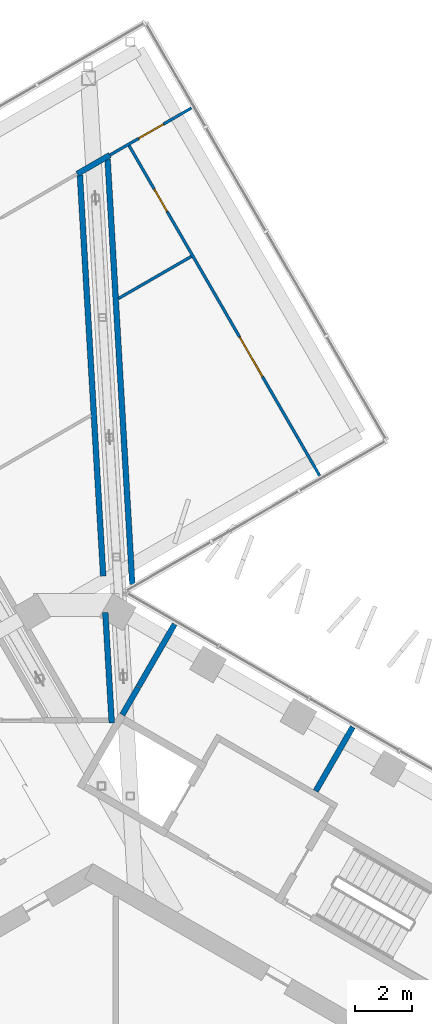
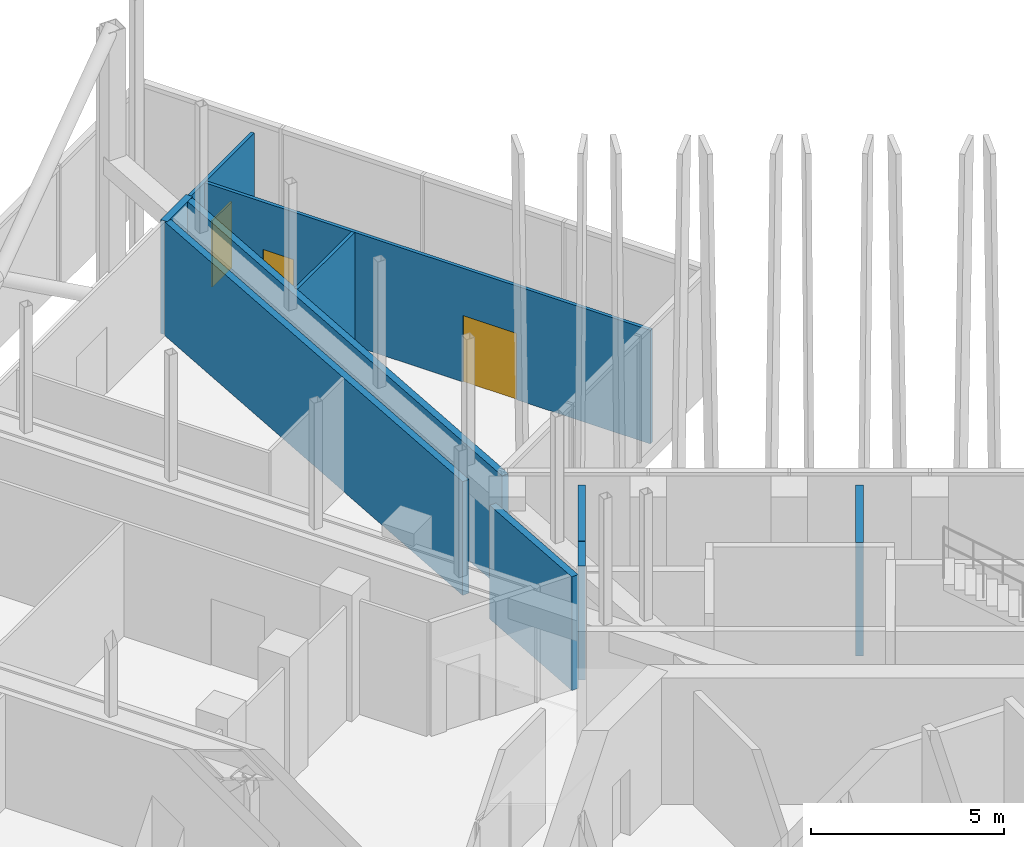
# One storey, part 22 of 29: 10 walls, 3 doors, 3 openings.
"""IFC4 building model written with IfcOpenShell, lengths in metres."""

import ifcopenshell
import ifcopenshell.guid

model = None  # the IFC model being written
_history = None  # IfcOwnerHistory: only IFC2X3 demands one
_inside = {}  # id of a spatial element -> (the spatial element, [elements in it])
_under = {}  # id of a project, library or spatial element -> (it, [spatial elements below it])
_declared = {}  # id of a project -> (the project, [libraries it declares])
_typed = {}  # id of a type object -> (the type object, [elements of that type])
_made_of = {}  # id of a material, layer set ... -> (it, [elements and type objects made of it])


def new_model(schema):
    """Start an empty IFC model of exactly this schema.

    Asked for "IFC4X3", IfcOpenShell would pick the latest addendum, in which some entities
    have other attributes; the version numbers below select the first issue.
    IFC2X3 requires an IfcOwnerHistory on every rooted entity: one is made here for all.
    """
    global model, _history
    if schema == "IFC4X3":
        model = ifcopenshell.file(schema_version=(4, 3, 0, 0))
    else:
        model = ifcopenshell.file(schema=schema)
    _inside.clear()
    _under.clear()
    _declared.clear()
    _typed.clear()
    _made_of.clear()
    _history = None
    if model.schema == "IFC2X3":
        org = make("IfcOrganization", Name="unknown")
        user = make(
            "IfcPersonAndOrganization",
            ThePerson=make("IfcPerson", FamilyName="unknown"),
            TheOrganization=org,
        )
        app = make(
            "IfcApplication",
            ApplicationDeveloper=org,
            Version="unknown",
            ApplicationFullName="unknown",
            ApplicationIdentifier="unknown",
        )
        _history = make(
            "IfcOwnerHistory",
            OwningUser=user,
            OwningApplication=app,
            ChangeAction="ADDED",
            CreationDate=0,
        )
    return model


def make(cls, **values):
    """One entity of the class cls with the attributes given. An attribute that is None is left unset."""
    return model.create_entity(
        cls, **{name: value for name, value in values.items() if value is not None}
    )


def rooted(cls, **values):
    """An entity with a GlobalId (a new one), such as an element, a storey or a relation."""
    return make(cls, GlobalId=ifcopenshell.guid.new(), OwnerHistory=_history, **values)


def si_unit(unit_type, name, prefix=None):
    """IfcSIUnit, for example si_unit("LENGTHUNIT", "METRE", prefix="MILLI")."""
    return make("IfcSIUnit", UnitType=unit_type, Prefix=prefix, Name=name)


def assignment(units):
    """IfcUnitAssignment: the units of a project."""
    return None if units is None else make("IfcUnitAssignment", Units=units)


def point(xyz):
    """IfcCartesianPoint."""
    return None if xyz is None else make("IfcCartesianPoint", Coordinates=xyz)


def direction(xyz):
    """IfcDirection."""
    return None if xyz is None else make("IfcDirection", DirectionRatios=xyz)


def frame(location, z_axis=None, x_axis=None):
    """IfcAxis2Placement3D, a coordinate frame: its origin and axes. An axis left out is left unset."""
    return make(
        "IfcAxis2Placement3D",
        Location=point(location),
        Axis=direction(z_axis),
        RefDirection=direction(x_axis),
    )


def frame_2d(location, x_axis=None):
    """IfcAxis2Placement2D, a coordinate frame in the plane: its origin and x axis."""
    return make(
        "IfcAxis2Placement2D", Location=point(location), RefDirection=direction(x_axis)
    )


def origin():
    """The frame at (0, 0, 0) with its axes left unset."""
    return frame((0.0, 0.0, 0.0))


def place(relative_to, where):
    """IfcLocalPlacement: puts the frame where relative to a parent placement (None: the world)."""
    return make(
        "IfcLocalPlacement", PlacementRelTo=relative_to, RelativePlacement=where
    )


def context(
    kind, dimensions, precision=None, world=None, true_north=None, identifier=None
):
    """IfcGeometricRepresentationContext, for example the 3D "Model" context."""
    return make(
        "IfcGeometricRepresentationContext",
        ContextIdentifier=identifier,
        ContextType=kind,
        CoordinateSpaceDimension=dimensions,
        Precision=precision,
        WorldCoordinateSystem=world,
        TrueNorth=true_north,
    )


def subcontext(parent, identifier, kind, view, scale=None):
    """IfcGeometricRepresentationSubContext, for example "Body" below "Model"."""
    return make(
        "IfcGeometricRepresentationSubContext",
        ContextIdentifier=identifier,
        ContextType=kind,
        ParentContext=parent,
        TargetScale=scale,
        TargetView=view,
    )


def project(units=None, contexts=None):
    """IfcProject with its units and contexts."""
    return rooted(
        "IfcProject",
        Name="project",
        RepresentationContexts=contexts,
        UnitsInContext=assignment(units),
    )


def spatial(cls, under=None, at=None, **own):
    """A site, building, storey or space (cls), placed at a placement, below another one or the project."""
    s = rooted(cls, ObjectPlacement=at, **own)
    if under is not None:
        _under.setdefault(under.id(), (under, []))[1].append(s)
    return s


def profile(cls, at=None, kind="AREA", **sizes):
    """A parametric profile (cls). Its sizes go by their IFC names, for example OverallWidth=200.0."""
    return make(cls, ProfileType=kind, Position=at, **sizes)


def rectangle(**sizes):
    """IfcRectangleProfileDef."""
    return profile("IfcRectangleProfileDef", **sizes)


def extrude(swept, where, along, depth):
    """IfcExtrudedAreaSolid: the profile swept, set in the frame where, extruded along a direction by depth."""
    return make(
        "IfcExtrudedAreaSolid",
        SweptArea=swept,
        Position=where,
        ExtrudedDirection=direction(along),
        Depth=depth,
    )


def shape(context_of_items, identifier, shape_type, items):
    """IfcShapeRepresentation: the items that make up one representation, for example the "Body"."""
    return make(
        "IfcShapeRepresentation",
        ContextOfItems=context_of_items,
        RepresentationIdentifier=identifier,
        RepresentationType=shape_type,
        Items=items,
    )


def material(Name=None, Category=None):
    """IfcMaterial."""
    return make("IfcMaterial", Name=Name, Category=Category)


def layer(
    of_material, thickness, ventilated=None, Name=None, Category=None, Priority=None
):
    """IfcMaterialLayer: one layer of a wall or slab, of a material (None: an air gap)."""
    return make(
        "IfcMaterialLayer",
        Material=of_material,
        LayerThickness=thickness,
        IsVentilated=ventilated,
        Name=Name,
        Category=Category,
        Priority=Priority,
    )


def layer_set(layers, Name=None):
    """IfcMaterialLayerSet."""
    return make("IfcMaterialLayerSet", MaterialLayers=layers, LayerSetName=Name)


def made_of(thing, what):
    """Note that an element or type object is made of a material, layer set ...; save() writes the relation."""
    if what is not None:
        _made_of.setdefault(what.id(), (what, []))[1].append(thing)
    return thing


def type_object(cls, material=None, **own):
    """A type object (cls), such as IfcWallType, which elements share."""
    return made_of(rooted(cls, **own), material)


def element(
    cls,
    number,
    at=None,
    inside=None,
    cuts=None,
    type_object=None,
    material=None,
    context=None,
    identifier="Body",
    shape_type=None,
    held_by="IfcProductDefinitionShape",
    body=None,
    shapes=None,
    **own,
):
    """One element of the class cls, such as IfcWall. Its Tag is "e" and its number.

    at: its placement. inside: the storey or other place that contains it. cuts: it is an
    opening in that element (IfcRelVoidsElement). A single representation is given by context,
    identifier, shape_type and body (its items); several are given by shapes. held_by: the class
    of the entity that holds the representations. save() writes the other relations.
    """
    e = rooted(cls, Tag="e%d" % number, ObjectPlacement=at, **own)
    if body is not None:
        shapes = [shape(context, identifier, shape_type, body)]
    if shapes is not None:
        e.Representation = make(held_by, Representations=shapes)
    if inside is not None:
        _inside.setdefault(inside.id(), (inside, []))[1].append(e)
    if cuts is not None:
        rooted(
            "IfcRelVoidsElement", RelatingBuildingElement=cuts, RelatedOpeningElement=e
        )
    if type_object is not None:
        _typed.setdefault(type_object.id(), (type_object, []))[1].append(e)
    return made_of(e, material)


def fill(opening, filler):
    """IfcRelFillsElement: the door or window that sits in an opening."""
    return rooted(
        "IfcRelFillsElement",
        RelatingOpeningElement=opening,
        RelatedBuildingElement=filler,
    )


def aggregate(whole, parts):
    """IfcRelAggregates: a whole, such as a stair, and the parts it consists of."""
    return rooted("IfcRelAggregates", RelatingObject=whole, RelatedObjects=parts)


def save(model, path):
    """Write the relations noted so far, then the file.

    IfcRelAggregates (storeys below a building ...), IfcRelContainedInSpatialStructure (elements
    in a storey), IfcRelDefinesByType, IfcRelAssociatesMaterial and IfcRelDeclares: one each for
    every whole, place, type object, material and project.
    """
    for whole, parts in _under.values():
        aggregate(whole, parts)
    for where, things in _inside.values():
        rooted(
            "IfcRelContainedInSpatialStructure",
            RelatedElements=things,
            RelatingStructure=where,
        )
    for kind, things in _typed.values():
        rooted("IfcRelDefinesByType", RelatedObjects=things, RelatingType=kind)
    for what, things in _made_of.values():
        rooted("IfcRelAssociatesMaterial", RelatedObjects=things, RelatingMaterial=what)
    for by, libraries in _declared.values():
        rooted("IfcRelDeclares", RelatingContext=by, RelatedDefinitions=libraries)
    model.write(path)


model = new_model("IFC4")

# Units and contexts
model_context = context("Model", 3, precision=1e-05, world=origin(), true_north=direction((0.0, 1.0)))
body_context = subcontext(model_context, "Body", "Model", "MODEL_VIEW")
ifc_project = project(units=[si_unit("LENGTHUNIT", "METRE"), si_unit("AREAUNIT", "SQUARE_METRE"), si_unit("VOLUMEUNIT", "CUBIC_METRE"), si_unit("PLANEANGLEUNIT", "RADIAN"), si_unit("MASSUNIT", "GRAM", prefix="KILO")], contexts=[model_context])

# Site, building, storey
site_placement = place(None, origin())
site = spatial("IfcSite", under=ifc_project, at=site_placement, CompositionType="ELEMENT")
building_placement = place(site_placement, origin())
building = spatial("IfcBuilding", under=site, at=building_placement, Name="Ayvan Gate Tower", CompositionType="ELEMENT")
storey_placement = place(building_placement, frame((0.0, 0.0, 186.699951171875)))
storey = spatial("IfcBuildingStorey", under=building, at=storey_placement, Name="L50", CompositionType="ELEMENT", Elevation=186.699951171875)

# Wall
ifc_material_1 = material(Name="Plasterboard on steel stud", Category="steel")
ifc_layer_1 = layer(ifc_material_1, 0.10009765625)
ifc_layer_set_1 = layer_set([ifc_layer_1], Name="Plasterboard on steel stud")
wall_type_1 = type_object("IfcWallType", Name="WT-PART-100", PredefinedType="PARTITIONING", material=ifc_layer_set_1)
wall_1_placement = place(storey_placement, frame((0.886474609375, 30.750732421875, 0.0), z_axis=(0.0, 0.0, 1.0), x_axis=(0.866019217765, 0.500010714347, 0.0)))
element("IfcWall", 1, at=wall_1_placement, inside=storey, type_object=wall_type_1, Name="IW-L50-078", PredefinedType="PARTITIONING", context=body_context, shape_type="SweptSolid", body=[
    extrude(rectangle(XDim=2.95703125, YDim=0.10009765625, at=frame_2d((1.478515625, 0.0))), origin(), (0.0, 0.0, 1.0), 3.60009765625),
])

# Wall, opening, door
wall_2_placement = place(storey_placement, frame((0.593994140625, 35.778076171875, 0.0), z_axis=(0.0, 0.0, 1.0), x_axis=(0.866039888171, 0.499974911467, 0.0)))
wall_2 = element("IfcWall", 2, at=wall_2_placement, inside=storey, type_object=wall_type_1, Name="IW-L50-082", PredefinedType="PARTITIONING", context=body_context, shape_type="SweptSolid", body=[
    extrude(rectangle(XDim=3.292724609375, YDim=0.10009765625, at=frame_2d((1.646484375, 0.0))), origin(), (0.0, 0.0, 1.0), 3.60009765625),
])
opening_1_placement = place(wall_2_placement, frame((1.161376953125, 0.0, 0.0)))
opening_1 = element("IfcOpeningElement", 3, at=opening_1_placement, cuts=wall_2, Name="Opening L50-D35", PredefinedType="OPENING", context=body_context, shape_type="SweptSolid", body=[
    extrude(rectangle(XDim=1.0, YDim=2.10009765625, at=frame_2d((0.5, 1.050048828125))), frame((0.0, 0.06005859375, 0.0), z_axis=(0.0, -1.0, 0.0), x_axis=(1.0, 0.0, 0.0)), (0.0, 0.0, 1.0), 0.1201171875),
])
ifc_material_2 = material(Name="Timber door leaf", Category="wood")
door_type_1 = type_object("IfcDoorType", Name="DT-1000", OperationType="NOTDEFINED", PredefinedType="DOOR", material=ifc_material_2)
door_1_placement = place(opening_1_placement, origin())
door_1 = element("IfcDoor", 4, at=door_1_placement, inside=storey, type_object=door_type_1, Name="ID-L50-035", OperationType="SINGLE_SWING_LEFT", OverallHeight=2.10009765625, OverallWidth=1.0, PredefinedType="DOOR", context=body_context, shape_type="SweptSolid", body=[
    extrude(rectangle(XDim=1.0, YDim=2.10009765625, at=frame_2d((0.5, 1.050048828125))), frame((0.0, 0.02490234375, 0.0), z_axis=(0.0, -1.0, 0.0), x_axis=(1.0, 0.0, 0.0)), (0.0, 0.0, 1.0), 0.050048828125),
])
fill(opening_1, door_1)

# Wall, openings, doors
wall_3_placement = place(storey_placement, frame((1.265625, 36.10791015625, 0.0), z_axis=(0.0, 0.0, 1.0), x_axis=(0.500004822225, -0.866022619654, 0.0)))
wall_3 = element("IfcWall", 5, at=wall_3_placement, inside=storey, type_object=wall_type_1, Name="IW-L50-093", PredefinedType="PARTITIONING", context=body_context, shape_type="SweptSolid", body=[
    extrude(rectangle(XDim=13.346923828125, YDim=0.10009765625, at=frame_2d((6.67333984375, 0.0))), origin(), (0.0, 0.0, 1.0), 3.60009765625),
])
opening_2_placement = place(wall_3_placement, frame((7.740478515625, 0.0, 0.0)))
opening_2 = element("IfcOpeningElement", 6, at=opening_2_placement, cuts=wall_3, Name="Opening L50-D36", PredefinedType="OPENING", context=body_context, shape_type="SweptSolid", body=[
    extrude(rectangle(XDim=1.60009765625, YDim=2.10009765625, at=frame_2d((0.800048828125, 1.050048828125))), frame((0.0, 0.06005859375, 0.0), z_axis=(0.0, -1.0, 0.0), x_axis=(1.0, 0.0, 0.0)), (0.0, 0.0, 1.0), 0.1201171875),
])
opening_3_placement = place(wall_3_placement, frame((1.760009765625, 0.0, 0.0)))
opening_3 = element("IfcOpeningElement", 7, at=opening_3_placement, cuts=wall_3, Name="Opening L50-D37", PredefinedType="OPENING", context=body_context, shape_type="SweptSolid", body=[
    extrude(rectangle(XDim=0.89990234375, YDim=2.10009765625, at=frame_2d((0.449951171875, 1.050048828125))), frame((0.0, 0.06005859375, 0.0), z_axis=(0.0, -1.0, 0.0), x_axis=(1.0, 0.0, 0.0)), (0.0, 0.0, 1.0), 0.1201171875),
])
door_type_2 = type_object("IfcDoorType", Name="DT-1600", OperationType="NOTDEFINED", PredefinedType="DOOR", material=ifc_material_2)
door_2_placement = place(opening_2_placement, origin())
door_2 = element("IfcDoor", 8, at=door_2_placement, inside=storey, type_object=door_type_2, Name="ID-L50-036", OperationType="SINGLE_SWING_RIGHT", OverallHeight=2.10009765625, OverallWidth=1.60009765625, PredefinedType="DOOR", context=body_context, shape_type="SweptSolid", body=[
    extrude(rectangle(XDim=1.60009765625, YDim=2.10009765625, at=frame_2d((0.800048828125, 1.050048828125))), frame((0.0, 0.02490234375, 0.0), z_axis=(0.0, -1.0, 0.0), x_axis=(1.0, 0.0, 0.0)), (0.0, 0.0, 1.0), 0.050048828125),
])
fill(opening_2, door_2)
door_type_3 = type_object("IfcDoorType", Name="DT-900", OperationType="NOTDEFINED", PredefinedType="DOOR", material=ifc_material_2)
door_3_placement = place(opening_3_placement, origin())
door_3 = element("IfcDoor", 9, at=door_3_placement, inside=storey, type_object=door_type_3, Name="ID-L50-037", OperationType="SINGLE_SWING_LEFT", OverallHeight=2.10009765625, OverallWidth=0.89990234375, PredefinedType="DOOR", context=body_context, shape_type="SweptSolid", body=[
    extrude(rectangle(XDim=0.89990234375, YDim=2.10009765625, at=frame_2d((0.449951171875, 1.050048828125))), frame((0.0, 0.02490234375, 0.0), z_axis=(0.0, -1.0, 0.0), x_axis=(1.0, 0.0, 0.0)), (0.0, 0.0, 1.0), 0.050048828125),
])
fill(opening_3, door_3)

# Walls
ifc_layer_2 = layer(ifc_material_1, 0.199951171875)
ifc_layer_set_2 = layer_set([ifc_layer_2], Name="Plasterboard on steel stud")
wall_type_2 = type_object("IfcWallType", Name="WT-PLUMB-200", PredefinedType="PLUMBINGWALL", material=ifc_layer_set_2)
wall_4_placement = place(storey_placement, frame((-0.548095703125, 35.118408203125, 0.0), z_axis=(0.0, 0.0, 1.0), x_axis=(0.865979071295, 0.500080241641, 0.0)))
element("IfcWall", 10, at=wall_4_placement, inside=storey, type_object=wall_type_2, Name="IW-L50-069", PredefinedType="PLUMBINGWALL", context=body_context, shape_type="SweptSolid", body=[
    extrude(rectangle(XDim=1.319091796875, YDim=0.199951171875, at=frame_2d((0.65966796875, 0.0))), origin(), (0.0, 0.0, 1.0), 3.60009765625),
])
wall_5_placement = place(storey_placement, frame((-0.455810546875, 35.068603515625, 0.0), z_axis=(0.0, 0.0, 1.0), x_axis=(0.058023609074, -0.998315211138, 0.0)))
element("IfcWall", 11, at=wall_5_placement, inside=storey, type_object=wall_type_2, Name="IW-L50-073", PredefinedType="PLUMBINGWALL", context=body_context, shape_type="SweptSolid", body=[
    extrude(rectangle(XDim=14.0576171875, YDim=0.199951171875, at=frame_2d((7.02880859375, 0.0))), origin(), (0.0, 0.0, 1.0), 3.60009765625),
])
wall_6_placement = place(storey_placement, frame((0.433837890625, 19.7626953125, 0.0), z_axis=(0.0, 0.0, 1.0), x_axis=(0.058013052841, -0.998315824627, 0.0)))
element("IfcWall", 12, at=wall_6_placement, inside=storey, type_object=wall_type_2, Name="IW-L50-075", PredefinedType="PLUMBINGWALL", context=body_context, shape_type="SweptSolid", body=[
    extrude(rectangle(XDim=3.8759765625, YDim=0.199951171875, at=frame_2d((1.93798828125, 0.0))), origin(), (0.0, 0.0, 1.0), 3.60009765625),
])
wall_7_placement = place(storey_placement, frame((0.513427734375, 35.62841796875, 0.0), z_axis=(0.0, 0.0, 1.0), x_axis=(0.058016275697, -0.998315637338, 0.0)))
element("IfcWall", 13, at=wall_7_placement, inside=storey, type_object=wall_type_2, Name="IW-L50-076", PredefinedType="PLUMBINGWALL", context=body_context, shape_type="SweptSolid", body=[
    extrude(rectangle(XDim=14.9052734375, YDim=0.199951171875, at=frame_2d((7.45263671875, 0.0))), origin(), (0.0, 0.0, 1.0), 3.60009765625),
])
wall_8_placement = place(storey_placement, frame((1.027099609375, 16.178955078125, 0.0), z_axis=(0.0, 0.0, 1.0), x_axis=(0.499911014785, 0.866076773327, 0.0)))
element("IfcWall", 14, at=wall_8_placement, inside=storey, type_object=wall_type_2, Name="IW-L50-080", PredefinedType="PLUMBINGWALL", context=body_context, shape_type="SweptSolid", body=[
    extrude(rectangle(XDim=1.120849609375, YDim=0.199951171875, at=frame_2d((0.560546875, 0.0))), origin(), (0.0, 0.0, 1.0), 3.60009765625),
])
wall_9_placement = place(storey_placement, frame((1.597412109375, 17.1669921875, 0.0), z_axis=(0.0, 0.0, 1.0), x_axis=(0.50000999488, 0.866019633161, 0.0)))
element("IfcWall", 15, at=wall_9_placement, inside=storey, type_object=wall_type_2, Name="IW-L50-085", PredefinedType="PLUMBINGWALL", context=body_context, shape_type="SweptSolid", body=[
    extrude(rectangle(XDim=2.5234375, YDim=0.199951171875, at=frame_2d((1.26171875, 0.0))), origin(), (0.0, 0.0, 1.0), 3.60009765625),
])
wall_10_placement = place(storey_placement, frame((7.800048828125, 13.510009765625, 0.0), z_axis=(0.0, 0.0, 1.0), x_axis=(0.499972779981, 0.866041118699, 0.0)))
element("IfcWall", 16, at=wall_10_placement, inside=storey, type_object=wall_type_2, Name="IW-L50-110", PredefinedType="PLUMBINGWALL", context=body_context, shape_type="SweptSolid", body=[
    extrude(rectangle(XDim=2.589111328125, YDim=0.199951171875, at=frame_2d((1.29443359375, 0.0))), origin(), (0.0, 0.0, 1.0), 3.60009765625),
])

save(model, "model.ifc")
